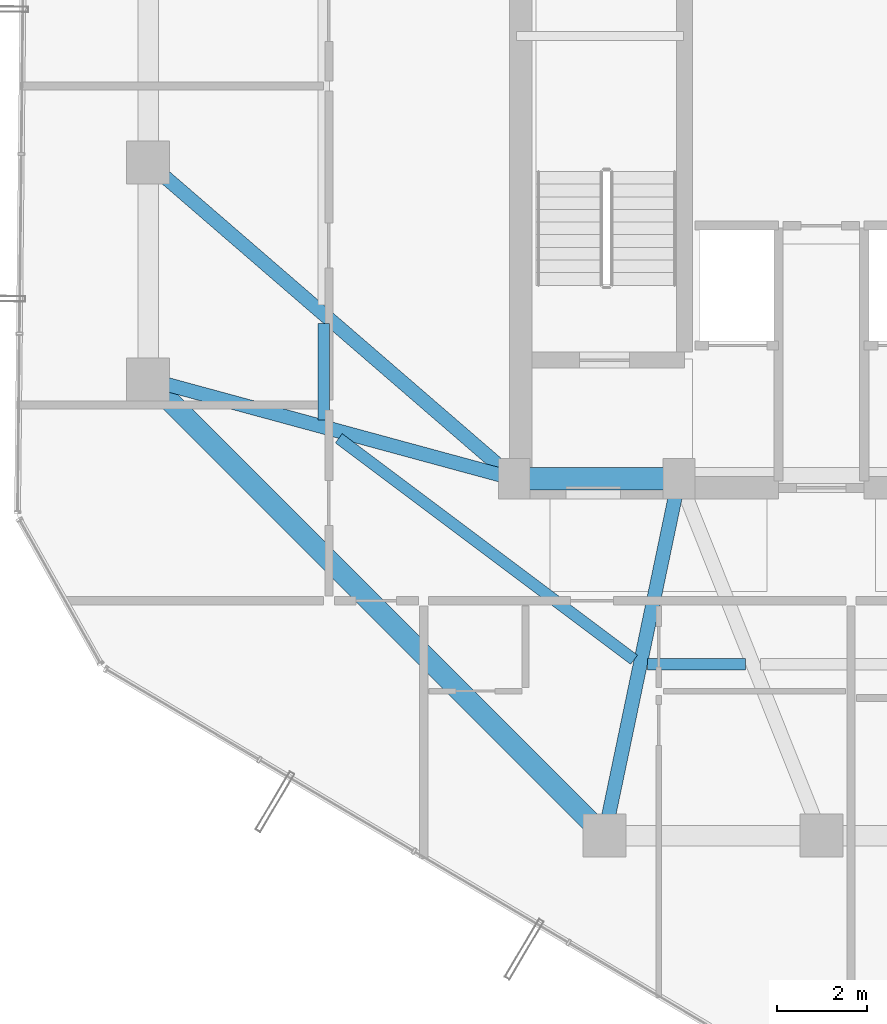
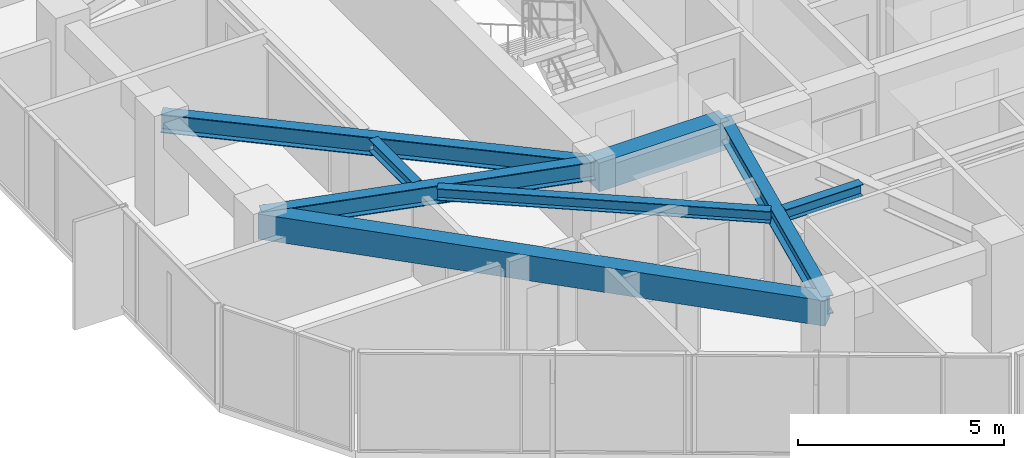
# One storey, part 5 of 30: 8 beams.
"""IFC4 building model written with IfcOpenShell, lengths in metres."""

from ifc_helpers import new_model, si_unit, direction, frame, origin, origin_2d, place, context, subcontext, project, spatial, rectangle, i_section, extrude, material, material_profile, profile_set, type_object, element, save


model = new_model("IFC4")

# Units and contexts
model_context = context("Model", 3, precision=1e-05, world=origin(), true_north=direction((0.0, 1.0)))
body_context = subcontext(model_context, "Body", "Model", "MODEL_VIEW")
ifc_project = project(units=[si_unit("LENGTHUNIT", "METRE"), si_unit("AREAUNIT", "SQUARE_METRE"), si_unit("VOLUMEUNIT", "CUBIC_METRE"), si_unit("PLANEANGLEUNIT", "RADIAN"), si_unit("MASSUNIT", "GRAM", prefix="KILO")], contexts=[model_context])

# Site, building, storey
site_placement = place(None, origin())
site = spatial("IfcSite", under=ifc_project, at=site_placement, CompositionType="ELEMENT")
building_placement = place(site_placement, origin())
building = spatial("IfcBuilding", under=site, at=building_placement, Name="Veraguas Prism Commons", CompositionType="ELEMENT")
storey_placement = place(building_placement, frame((0.0, 0.0, 208.10009765625)))
storey = spatial("IfcBuildingStorey", under=building, at=storey_placement, Name="L59", CompositionType="ELEMENT", Elevation=208.10009765625)

# Beams
ifc_material_1 = material(Name="Concrete C50/60", Category="concrete")
ifc_material_profile_1 = material_profile(ifc_material_1, rectangle(XDim=0.5, YDim=0.85009765625, at=origin_2d()), Name="RC500X850")
ifc_profile_set_1 = profile_set([ifc_material_profile_1], Name="Concrete C50/60")
beam_type_1 = type_object("IfcBeamType", Name="Core Coupling Beam RC 500x850", PredefinedType="BEAM", material=ifc_profile_set_1)
beam_1_placement = place(storey_placement, frame((17.199951171875, 17.0, 2.544921875), z_axis=(1.0, 0.0, 0.0), x_axis=(0.0, 1.0, 0.0)))
element("IfcBeam", 1, at=beam_1_placement, inside=storey, type_object=beam_type_1, Name="Core Coupling Beam L59-CRS1", PredefinedType="BEAM", context=body_context, shape_type="SweptSolid", body=[
    extrude(rectangle(XDim=0.5, YDim=0.85009765625, at=origin_2d()), origin(), (0.0, 0.0, 1.0), 3.650146484375),
])
ifc_material_profile_2 = material_profile(ifc_material_1, rectangle(XDim=0.449951171875, YDim=0.75, at=origin_2d()), Name="RC450X750")
ifc_profile_set_2 = profile_set([ifc_material_profile_2], Name="Concrete C50/60")
beam_type_2 = type_object("IfcBeamType", Name="Perimeter Spandrel Upper RC 450x750", PredefinedType="SPANDREL", material=ifc_profile_set_2)
beam_2_placement = place(storey_placement, frame((9.10009765625, 19.199951171875, 2.594970703125), z_axis=(0.707106781187, -0.707106781187, 0.0), x_axis=(0.707106781187, 0.707106781187, 0.0)))
element("IfcBeam", 2, at=beam_2_placement, inside=storey, type_object=beam_type_2, Name="Perimeter Spandrel Beam L59-SP09", PredefinedType="SPANDREL", context=body_context, shape_type="SweptSolid", body=[
    extrude(rectangle(XDim=0.449951171875, YDim=0.75, at=origin_2d()), origin(), (0.0, 0.0, 1.0), 14.283447265625),
])
ifc_material_2 = material(Name="Steel ASTM A992 Grade 50", Category="steel")
ifc_material_profile_3 = material_profile(ifc_material_2, i_section(OverallWidth=0.25390625, OverallDepth=0.35302734375, WebThickness=0.009521484375, FlangeThickness=0.016357421875, at=origin_2d()), Name="W360X91")
ifc_profile_set_3 = profile_set([ifc_material_profile_3], Name="Steel ASTM A992 Grade 50")
beam_type_3 = type_object("IfcBeamType", Name="Upper Floor Joist W360x91", PredefinedType="JOIST", material=ifc_profile_set_3)
beam_3_placement = place(storey_placement, frame((12.988037109375, 20.43701171875, 2.79345703125), z_axis=(0.0, -1.0, 0.0), x_axis=(1.0, 0.0, 0.0)))
element("IfcBeam", 3, at=beam_3_placement, inside=storey, type_object=beam_type_3, Name="Composite Floor Joist L59-JS08", PredefinedType="JOIST", context=body_context, shape_type="SweptSolid", body=[
    extrude(i_section(OverallWidth=0.25390625, OverallDepth=0.35302734375, WebThickness=0.009521484375, FlangeThickness=0.016357421875, at=origin_2d()), origin(), (0.0, 0.0, 1.0), 2.134033203125),
])
beam_4_placement = place(storey_placement, frame((13.320556640625, 17.89453125, 2.79345703125), z_axis=(0.800060962004, -0.599918708724, 0.0), x_axis=(0.599918708724, 0.800060962004, 0.0)))
element("IfcBeam", 4, at=beam_4_placement, inside=storey, type_object=beam_type_3, Name="Composite Floor Joist L59-JS09", PredefinedType="JOIST", context=body_context, shape_type="SweptSolid", body=[
    extrude(i_section(OverallWidth=0.25390625, OverallDepth=0.35302734375, WebThickness=0.009521484375, FlangeThickness=0.016357421875, at=origin_2d()), origin(), (0.0, 0.0, 1.0), 8.169189453125),
])
beam_5_placement = place(storey_placement, frame((20.148681640625, 12.89208984375, 2.79345703125), z_axis=(1.0, 0.0, 0.0), x_axis=(0.0, 1.0, 0.0)))
element("IfcBeam", 5, at=beam_5_placement, inside=storey, type_object=beam_type_3, Name="Composite Floor Joist L59-JS10", PredefinedType="JOIST", context=body_context, shape_type="SweptSolid", body=[
    extrude(i_section(OverallWidth=0.25390625, OverallDepth=0.35302734375, WebThickness=0.009521484375, FlangeThickness=0.016357421875, at=origin_2d()), origin(), (0.0, 0.0, 1.0), 2.174072265625),
])
ifc_material_profile_4 = material_profile(ifc_material_2, i_section(OverallWidth=0.31103515625, OverallDepth=0.5458984375, WebThickness=0.0146484375, FlangeThickness=0.023681640625, at=origin_2d()), Name="W530X165")
ifc_profile_set_4 = profile_set([ifc_material_profile_4], Name="Steel ASTM A992 Grade 50")
beam_type_4 = type_object("IfcBeamType", Name="Zone 3 Radial Girder W530x165", PredefinedType="BEAM", material=ifc_profile_set_4)
beam_6_placement = place(storey_placement, frame((9.10009765625, 24.0, 2.697021484375), z_axis=(0.756607086554, -0.653869800936, 0.0), x_axis=(0.653869800936, 0.756607086554, 0.0)))
element("IfcBeam", 6, at=beam_6_placement, inside=storey, type_object=beam_type_4, Name="Radial Floor Girder L59-RD08", PredefinedType="BEAM", context=body_context, shape_type="SweptSolid", body=[
    extrude(i_section(OverallWidth=0.31103515625, OverallDepth=0.5458984375, WebThickness=0.0146484375, FlangeThickness=0.023681640625, at=origin_2d()), origin(), (0.0, 0.0, 1.0), 10.70556640625),
])
beam_7_placement = place(storey_placement, frame((9.10009765625, 19.199951171875, 2.697021484375), z_axis=(0.965038506703, -0.262108146725, 0.0), x_axis=(0.262108146725, 0.965038506703, 0.0)))
element("IfcBeam", 7, at=beam_7_placement, inside=storey, type_object=beam_type_4, Name="Radial Floor Girder L59-RD09", PredefinedType="BEAM", context=body_context, shape_type="SweptSolid", body=[
    extrude(i_section(OverallWidth=0.31103515625, OverallDepth=0.5458984375, WebThickness=0.0146484375, FlangeThickness=0.023681640625, at=origin_2d()), origin(), (0.0, 0.0, 1.0), 8.393310546875),
])
beam_8_placement = place(storey_placement, frame((19.199951171875, 9.10009765625, 2.697021484375), z_axis=(0.204468851168, 0.978873070884, 0.0), x_axis=(-0.978873070884, 0.204468851168, 0.0)))
element("IfcBeam", 8, at=beam_8_placement, inside=storey, type_object=beam_type_4, Name="Radial Floor Girder L59-RD10", PredefinedType="BEAM", context=body_context, shape_type="SweptSolid", body=[
    extrude(i_section(OverallWidth=0.31103515625, OverallDepth=0.5458984375, WebThickness=0.0146484375, FlangeThickness=0.023681640625, at=origin_2d()), origin(), (0.0, 0.0, 1.0), 8.0703125),
])

save(model, "model.ifc")
